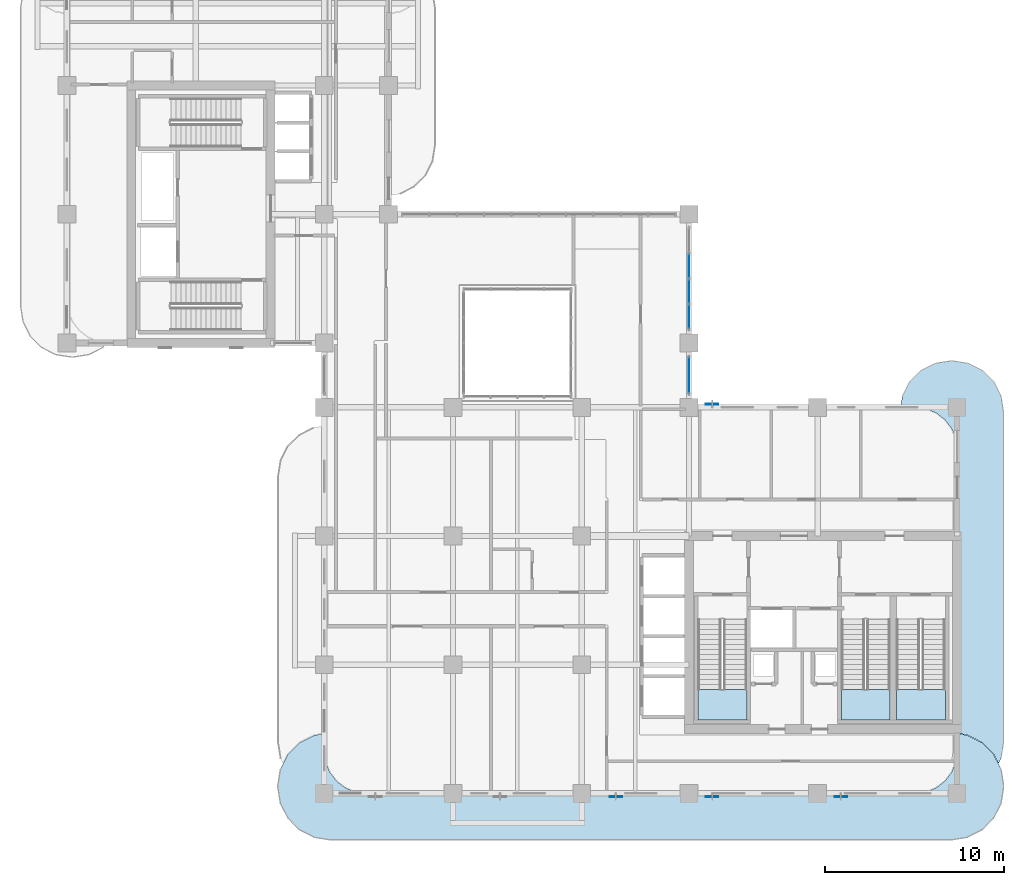
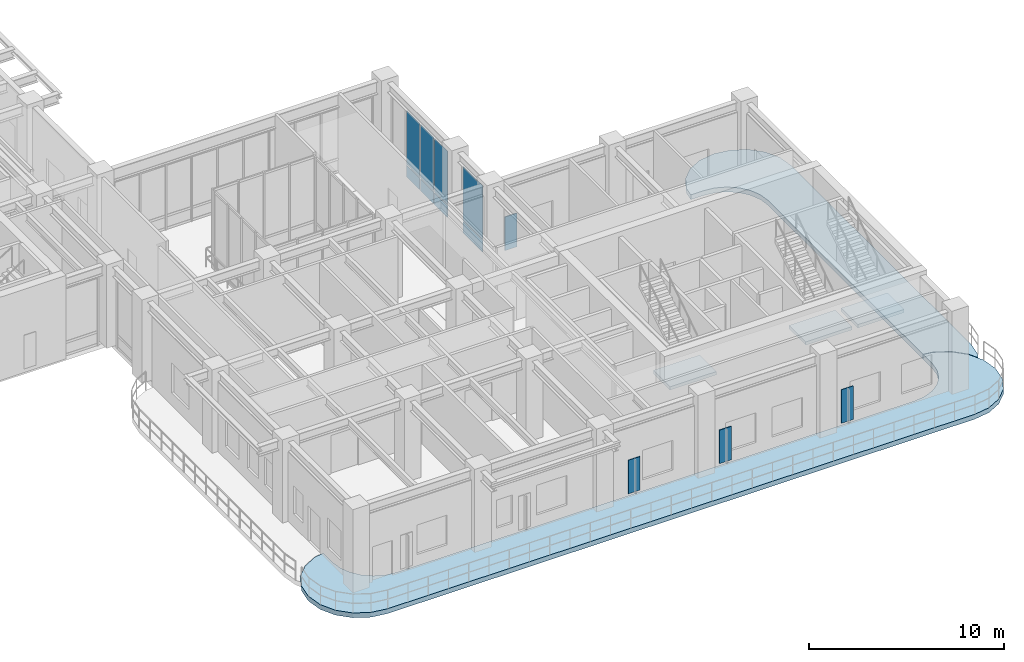
# One storey, part 9 of 21: 12 plates, 5 slabs, 5 elements without a shape of their own.
"""IFC4 building model written with IfcOpenShell, lengths in metres."""

from ifc_helpers import new_model, si_unit, derived_unit, direction, frame, origin, origin_2d, place, context, subcontext, project, spatial, polyline, rectangle, outline, extrude, source, transform, mapped, material, layer, layer_set, type_object, type_shapes, element, aggregate, save


model = new_model("IFC4")

# Units and contexts
model_context = context("Model", 3, precision=1e-05, world=origin(), true_north=direction((0.0, 1.0)))
body_context = subcontext(model_context, "Body", "Model", "MODEL_VIEW")
ifc_project = project(units=[si_unit("LENGTHUNIT", "METRE"), si_unit("AREAUNIT", "SQUARE_METRE"), si_unit("VOLUMEUNIT", "CUBIC_METRE"), si_unit("PLANEANGLEUNIT", "RADIAN"), si_unit("MASSUNIT", "GRAM", prefix="KILO"), si_unit("THERMODYNAMICTEMPERATUREUNIT", "KELVIN"), si_unit("POWERUNIT", "WATT"), derived_unit("THERMALTRANSMITTANCEUNIT", [(si_unit("POWERUNIT", "WATT"), 1), (si_unit("AREAUNIT", "SQUARE_METRE"), -1), (si_unit("THERMODYNAMICTEMPERATUREUNIT", "KELVIN"), -1)])], contexts=[model_context])

# Site, building, storey
site_placement = place(None, origin())
site = spatial("IfcSite", under=ifc_project, at=site_placement, CompositionType="ELEMENT")
building_placement = place(site_placement, origin())
building = spatial("IfcBuilding", under=site, at=building_placement, Name="Zahravan Archway Hotel and Residences", CompositionType="ELEMENT")
storey_placement = place(building_placement, frame((0.0, 0.0, 145.10009765625)))
storey = spatial("IfcBuildingStorey", under=building, at=storey_placement, Name="L36", CompositionType="ELEMENT", Elevation=145.10009765625)

# Slabs
ifc_material_1 = material(Name="Concrete C50/60", Category="concrete")
ifc_layer_1 = layer(ifc_material_1, 0.300048828125, Name="Concrete C50/60", Category="concrete")
ifc_layer_set_1 = layer_set([ifc_layer_1], Name="Concrete C50/60")
slab_type_1 = type_object("IfcSlabType", Name="SLB-FLR-300", PredefinedType="FLOOR", material=ifc_layer_set_1)
slab_1_placement = place(storey_placement, frame((0.0, 0.0, -0.300048828125)))
element("IfcSlab", 1, at=slab_1_placement, inside=storey, type_object=slab_type_1, Name="L36 Wing A South Rounded Balcony Band", PredefinedType="FLOOR", context=body_context, shape_type="SweptSolid", body=[
    extrude(outline(polyline([(50.361572265625, 3.255615234375), (51.18408203125, 2.836669921875), (51.836669921875, 2.18408203125), (52.255615234375, 1.361572265625), (52.39990234375, 0.449951171875), (52.39990234375, 0.35009765625), (52.255615234375, -0.5615234375), (51.836669921875, -1.384033203125), (51.18408203125, -2.03662109375), (50.361572265625, -2.45556640625), (49.449951171875, -2.60009765625), (14.75, -2.60009765625), (13.83837890625, -2.45556640625), (13.01611328125, -2.03662109375), (12.36328125, -1.384033203125), (11.9443359375, -0.5615234375), (11.800048828125, 0.35009765625), (11.800048828125, 0.449951171875), (11.9443359375, 1.361572265625), (12.36328125, 2.18408203125), (13.01611328125, 2.836669921875), (13.83837890625, 3.255615234375), (14.3798828125, 3.34130859375), (14.3798828125, 2.39990234375), (14.380126953125, 2.3974609375), (14.4619140625, 1.776123046875), (14.46240234375, 1.7744140625), (14.462646484375, 1.772705078125), (14.46337890625, 1.77099609375), (14.702880859375, 1.1923828125), (14.703857421875, 1.19091796875), (14.70458984375, 1.189208984375), (14.70556640625, 1.187744140625), (15.0869140625, 0.690673828125), (15.088134765625, 0.689453125), (15.08935546875, 0.688232421875), (15.0908203125, 0.68701171875), (15.587890625, 0.3056640625), (15.58935546875, 0.3046875), (15.5908203125, 0.3037109375), (15.59228515625, 0.302978515625), (16.171142578125, 0.063232421875), (16.1728515625, 0.062744140625), (16.174560546875, 0.062255859375), (16.17626953125, 0.06201171875), (16.79736328125, -0.019775390625), (16.800048828125, -0.02001953125), (47.39990234375, -0.02001953125), (47.402587890625, -0.019775390625), (48.023681640625, 0.06201171875), (48.025390625, 0.062255859375), (48.027099609375, 0.062744140625), (48.02880859375, 0.063232421875), (48.607666015625, 0.302978515625), (48.609130859375, 0.3037109375), (48.610595703125, 0.3046875), (48.6123046875, 0.3056640625), (49.109375, 0.68701171875), (49.110595703125, 0.688232421875), (49.11181640625, 0.689453125), (49.113037109375, 0.690673828125), (49.494384765625, 1.187744140625), (49.495361328125, 1.189208984375), (49.49609375, 1.19091796875), (49.4970703125, 1.1923828125), (49.73681640625, 1.77099609375), (49.7373046875, 1.772705078125), (49.73779296875, 1.7744140625), (49.738037109375, 1.776123046875), (49.81982421875, 2.3974609375), (49.820068359375, 2.39990234375), (49.820068359375, 3.34130859375), (50.361572265625, 3.255615234375)])), origin(), (0.0, 0.0, 1.0), 0.300048828125),
])
slab_2_placement = place(storey_placement, frame((0.0, 0.0, -0.300048828125)))
element("IfcSlab", 2, at=slab_2_placement, inside=storey, type_object=slab_type_1, Name="L36 Wing A East Rounded Balcony Band", PredefinedType="FLOOR", context=body_context, shape_type="SweptSolid", body=[
    extrude(outline(polyline([(46.739501953125, 22.230712890625), (47.144287109375, 23.025146484375), (47.77490234375, 23.65576171875), (48.5693359375, 24.060546875), (49.449951171875, 24.199951171875), (49.550048828125, 24.199951171875), (50.4306640625, 24.060546875), (51.22509765625, 23.65576171875), (51.855712890625, 23.025146484375), (52.260498046875, 22.230712890625), (52.39990234375, 21.35009765625), (52.39990234375, 2.85009765625), (52.260498046875, 1.96923828125), (52.114501953125, 1.6826171875), (51.8544921875, 2.193115234375), (51.853515625, 2.19482421875), (51.85205078125, 2.196533203125), (51.8505859375, 2.197998046875), (51.197998046875, 2.8505859375), (51.196533203125, 2.85205078125), (51.19482421875, 2.853515625), (51.193115234375, 2.8544921875), (50.37060546875, 3.2734375), (50.368896484375, 3.2744140625), (50.36669921875, 3.27490234375), (50.36474609375, 3.275390625), (49.822998046875, 3.361083984375), (49.8212890625, 3.361328125), (49.820068359375, 3.361328125), (49.820068359375, 19.199951171875), (49.81982421875, 19.20263671875), (49.738037109375, 19.82373046875), (49.73779296875, 19.825439453125), (49.7373046875, 19.8271484375), (49.73681640625, 19.828857421875), (49.4970703125, 20.40771484375), (49.49609375, 20.4091796875), (49.495361328125, 20.41064453125), (49.494384765625, 20.412109375), (49.113037109375, 20.9091796875), (49.11181640625, 20.91064453125), (49.110595703125, 20.911865234375), (49.109375, 20.9130859375), (48.6123046875, 21.29443359375), (48.610595703125, 21.29541015625), (48.609130859375, 21.296142578125), (48.607666015625, 21.297119140625), (48.02880859375, 21.53662109375), (48.027099609375, 21.537353515625), (48.025390625, 21.53759765625), (48.023681640625, 21.5380859375), (47.402587890625, 21.619873046875), (47.39990234375, 21.6201171875), (46.642822265625, 21.6201171875), (46.739501953125, 22.230712890625)])), origin(), (0.0, 0.0, 1.0), 0.300048828125),
])

# Stair, slab
stair_type = type_object("IfcStairType", Name="STR-CORE-1300", PredefinedType="HALF_TURN_STAIR", material=ifc_material_1)
stair_1_placement = place(storey_placement, origin())
stair_1 = element("IfcStair", 3, at=stair_1_placement, inside=storey, type_object=stair_type, Name="L36 Core A Exit Stair 1", PredefinedType="HALF_TURN_STAIR")
ifc_layer_2 = layer(ifc_material_1, 0.199951171875, Name="Concrete C50/60", Category="concrete")
ifc_layer_set_2 = layer_set([ifc_layer_2], Name="Concrete C50/60")
slab_type_2 = type_object("IfcSlabType", Name="SLB-LND-200", PredefinedType="LANDING", material=ifc_layer_set_2)
slab_3_placement = place(storey_placement, frame((0.0, 0.0, 2.39990234375)))
slab_3 = element("IfcSlab", 4, at=slab_3_placement, type_object=slab_type_2, Name="ST-A1 landing 1", PredefinedType="LANDING", context=body_context, shape_type="SweptSolid", body=[
    extrude(outline(polyline([(35.300048828125, 5.81005859375), (35.300048828125, 4.10009765625), (38.0400390625, 4.10009765625), (38.0400390625, 5.81005859375), (35.300048828125, 5.81005859375)])), origin(), (0.0, 0.0, 1.0), 0.199951171875),
])
aggregate(stair_1, [slab_3])

stair_2_placement = place(storey_placement, origin())
stair_2 = element("IfcStair", 5, at=stair_2_placement, inside=storey, type_object=stair_type, Name="L36 Core A Exit Stair 2", PredefinedType="HALF_TURN_STAIR")
slab_4_placement = place(storey_placement, frame((0.0, 0.0, 2.39990234375)))
slab_4 = element("IfcSlab", 6, at=slab_4_placement, type_object=slab_type_2, Name="ST-A2 landing 1", PredefinedType="LANDING", context=body_context, shape_type="SweptSolid", body=[
    extrude(outline(polyline([(43.320068359375, 5.81005859375), (43.320068359375, 4.10009765625), (46.06005859375, 4.10009765625), (46.06005859375, 5.81005859375), (43.320068359375, 5.81005859375)])), origin(), (0.0, 0.0, 1.0), 0.199951171875),
])
aggregate(stair_2, [slab_4])

stair_3_placement = place(storey_placement, origin())
stair_3 = element("IfcStair", 7, at=stair_3_placement, inside=storey, type_object=stair_type, Name="L36 Core A Exit Stair 3", PredefinedType="HALF_TURN_STAIR")
slab_5_placement = place(storey_placement, frame((0.0, 0.0, 2.39990234375)))
slab_5 = element("IfcSlab", 8, at=slab_5_placement, type_object=slab_type_2, Name="ST-A3 landing 1", PredefinedType="LANDING", context=body_context, shape_type="SweptSolid", body=[
    extrude(outline(polyline([(46.39990234375, 5.81005859375), (46.39990234375, 4.10009765625), (49.139892578125, 4.10009765625), (49.139892578125, 5.81005859375), (46.39990234375, 5.81005859375)])), origin(), (0.0, 0.0, 1.0), 0.199951171875),
])
aggregate(stair_3, [slab_5])

# Curtain wall, plates
ifc_material_2 = material(Name="Bronze-Anodized Unitised Aluminium & Low-E Glass", Category="aluminium")
ifc_layer_3 = layer(ifc_material_2, 0.179931640625, Name="Bronze-Anodized Unitised Aluminium & Low-E Glass", Category="aluminium")
ifc_layer_set_3 = layer_set([ifc_layer_3], Name="Bronze-Anodized Unitised Aluminium & Low-E Glass")
curtain_wall_type = type_object("IfcCurtainWallType", Name="CW-SBG-2", PredefinedType="NOTDEFINED", material=ifc_layer_set_3)
curtain_wall_1_placement = place(storey_placement, origin())
curtain_wall_1 = element("IfcCurtainWall", 9, at=curtain_wall_1_placement, inside=storey, type_object=curtain_wall_type, Name="L36 Curtain Wall CW-L36-HNG-E-2", PredefinedType="NOTDEFINED")
ifc_material_3 = material(Name="Insulated Terracotta Spandrel Panel", Category="masonry")
ifc_layer_4 = layer(ifc_material_3, 0.0400390625, Name="Insulated Terracotta Spandrel Panel", Category="masonry")
ifc_layer_set_4 = layer_set([ifc_layer_4], Name="Insulated Terracotta Spandrel Panel")
plate_type_1 = type_object("IfcPlateType", Name="CWP-SPN-40", PredefinedType="SHEET", material=ifc_layer_set_4)
shared_shape_1 = source(origin(), body_context, "Body", "SweptSolid", [
    extrude(rectangle(XDim=1.340087890625, YDim=0.0400390625, at=origin_2d()), origin(), (0.0, 0.0, 1.0), 0.7099609375),
])
plate_1_placement = place(storey_placement, frame((34.800048828125, 26.669921875, 0.099853515625), z_axis=(0.0, 0.0, 1.0), x_axis=(0.0, 1.0, 0.0)))
plate_1 = element("IfcPlate", 10, at=plate_1_placement, type_object=plate_type_1, Name="CW-L36-HNG-E-2 Spandrel Panel 0", PredefinedType="SHEET", context=body_context, shape_type="MappedRepresentation", body=[
    mapped(shared_shape_1, transform((0.0, 0.0, 0.0), scale=1.0)),
])
plate_2_placement = place(storey_placement, frame((34.800048828125, 28.090087890625, 0.099853515625), z_axis=(0.0, 0.0, 1.0), x_axis=(0.0, 1.0, 0.0)))
plate_2 = element("IfcPlate", 11, at=plate_2_placement, type_object=plate_type_1, Name="CW-L36-HNG-E-2 Spandrel Panel 1", PredefinedType="SHEET", context=body_context, shape_type="MappedRepresentation", body=[
    mapped(shared_shape_1, transform((0.0, 0.0, 0.0), scale=1.0)),
])
plate_3_placement = place(storey_placement, frame((34.800048828125, 29.510009765625, 0.099853515625), z_axis=(0.0, 0.0, 1.0), x_axis=(0.0, 1.0, 0.0)))
plate_3 = element("IfcPlate", 12, at=plate_3_placement, type_object=plate_type_1, Name="CW-L36-HNG-E-2 Spandrel Panel 2", PredefinedType="SHEET", context=body_context, shape_type="MappedRepresentation", body=[
    mapped(shared_shape_1, transform((0.0, 0.0, 0.0), scale=1.0)),
])

# Plates
ifc_material_4 = material(Name="Perforated Cast Bronze Jali Lattice")
ifc_layer_5 = layer(ifc_material_4, 0.044921875, Name="Perforated Cast Bronze Jali Lattice")
ifc_layer_set_5 = layer_set([ifc_layer_5], Name="Perforated Cast Bronze Jali Lattice")
plate_type_2 = type_object("IfcPlateType", Name="PLT-JALI-BAY", PredefinedType="USERDEFINED", material=ifc_layer_set_5)
shared_shape_2 = source(origin(), body_context, "Body", "SweptSolid", [
    extrude(rectangle(XDim=0.699951171875, YDim=0.044921875, at=origin_2d()), origin(), (0.0, 0.0, 1.0), 2.10009765625),
])
type_shapes(plate_type_2, [shared_shape_2])
for number, where, z_axis, x_axis, name in (
    (13, (30.7080078125, -0.177978515625, 0.249755859375), (0.0, 0.0, 1.0), (1.0, 0.0, 0.0), "L36 Perforated Bronze Jali Pier Screen 03"),
    (14, (36.10009765625, -0.177978515625, 0.249755859375), (0.0, 0.0, 1.0), (1.0, 0.0, 0.0), "L36 Perforated Bronze Jali Pier Screen 04"),
    (15, (43.300048828125, -0.177978515625, 0.249755859375), (0.0, 0.0, 1.0), (1.0, 0.0, 0.0), "L36 Perforated Bronze Jali Pier Screen 05"),
    (16, (36.10009765625, 21.778076171875, 0.249755859375), (0.0, 0.0, 1.0), (1.0, 0.0, 0.0), "L36 Perforated Bronze Jali Pier Screen 06"),
):
    element("IfcPlate", number, at=place(storey_placement, frame(where, z_axis=z_axis, x_axis=x_axis)), inside=storey, type_object=plate_type_2, Name=name, ObjectType="SCREEN", PredefinedType="USERDEFINED", context=body_context, shape_type="MappedRepresentation", body=[
        mapped(shared_shape_2, transform((0.0, 0.0, 0.0), scale=1.0)),
    ])

# Curtain wall, plates
curtain_wall_2_placement = place(storey_placement, origin())
curtain_wall_2 = element("IfcCurtainWall", 17, at=curtain_wall_2_placement, inside=storey, type_object=curtain_wall_type, Name="L36 Curtain Wall CW-L36-HNG-E-1", PredefinedType="NOTDEFINED")
shared_shape_3 = source(origin(), body_context, "Body", "SweptSolid", [
    extrude(rectangle(XDim=2.0, YDim=0.0400390625, at=origin_2d()), origin(), (0.0, 0.0, 1.0), 0.7099609375),
])
plate_4_placement = place(storey_placement, frame((34.800048828125, 23.39990234375, 0.099853515625), z_axis=(0.0, 0.0, 1.0), x_axis=(0.0, 1.0, 0.0)))
plate_4 = element("IfcPlate", 18, at=plate_4_placement, type_object=plate_type_1, Name="CW-L36-HNG-E-1 Spandrel Panel 0", PredefinedType="SHEET", context=body_context, shape_type="MappedRepresentation", body=[
    mapped(shared_shape_3, transform((0.0, 0.0, 0.0), scale=1.0)),
])
ifc_material_5 = material(Name="Double-Silver Low-E Insulated Vision Glass", Category="glass")
ifc_layer_6 = layer(ifc_material_5, 0.028076171875, Name="Double-Silver Low-E Insulated Vision Glass", Category="glass")
ifc_layer_set_6 = layer_set([ifc_layer_6], Name="Double-Silver Low-E Insulated Vision Glass")
plate_type_3 = type_object("IfcPlateType", Name="CWP-GLZ-28", PredefinedType="CURTAIN_PANEL", material=ifc_layer_set_6)
shared_shape_4 = source(origin(), body_context, "Body", "SweptSolid", [
    extrude(rectangle(XDim=2.0, YDim=0.028076171875, at=origin_2d()), origin(), (0.0, 0.0, 1.0), 3.344970703125),
])
plate_5_placement = place(storey_placement, frame((34.800048828125, 23.39990234375, 0.89013671875), z_axis=(0.0, 0.0, 1.0), x_axis=(0.0, 1.0, 0.0)))
plate_5 = element("IfcPlate", 19, at=plate_5_placement, type_object=plate_type_3, Name="CW-L36-HNG-E-1 Low-E Vision Panel 0", PredefinedType="CURTAIN_PANEL", context=body_context, shape_type="MappedRepresentation", body=[
    mapped(shared_shape_4, transform((0.0, 0.0, 0.0), scale=1.0)),
])
aggregate(curtain_wall_2, [plate_4, plate_5])

# Plate
shared_shape_5 = source(origin(), body_context, "Body", "SweptSolid", [
    extrude(rectangle(XDim=1.340087890625, YDim=0.028076171875, at=origin_2d()), origin(), (0.0, 0.0, 1.0), 3.344970703125),
])
plate_6_placement = place(storey_placement, frame((34.800048828125, 26.669921875, 0.89013671875), z_axis=(0.0, 0.0, 1.0), x_axis=(0.0, 1.0, 0.0)))
plate_6 = element("IfcPlate", 20, at=plate_6_placement, type_object=plate_type_3, Name="CW-L36-HNG-E-2 Low-E Vision Panel 0", PredefinedType="CURTAIN_PANEL", context=body_context, shape_type="MappedRepresentation", body=[
    mapped(shared_shape_5, transform((0.0, 0.0, 0.0), scale=1.0)),
])

plate_7_placement = place(storey_placement, frame((34.800048828125, 28.090087890625, 0.89013671875), z_axis=(0.0, 0.0, 1.0), x_axis=(0.0, 1.0, 0.0)))
plate_7 = element("IfcPlate", 21, at=plate_7_placement, type_object=plate_type_3, Name="CW-L36-HNG-E-2 Low-E Vision Panel 1", PredefinedType="CURTAIN_PANEL", context=body_context, shape_type="MappedRepresentation", body=[
    mapped(shared_shape_5, transform((0.0, 0.0, 0.0), scale=1.0)),
])

plate_8_placement = place(storey_placement, frame((34.800048828125, 29.510009765625, 0.89013671875), z_axis=(0.0, 0.0, 1.0), x_axis=(0.0, 1.0, 0.0)))
plate_8 = element("IfcPlate", 22, at=plate_8_placement, type_object=plate_type_3, Name="CW-L36-HNG-E-2 Low-E Vision Panel 2", PredefinedType="CURTAIN_PANEL", context=body_context, shape_type="MappedRepresentation", body=[
    mapped(shared_shape_5, transform((0.0, 0.0, 0.0), scale=1.0)),
])

aggregate(curtain_wall_1, [plate_1, plate_6, plate_2, plate_7, plate_3, plate_8])

save(model, "model.ifc")
